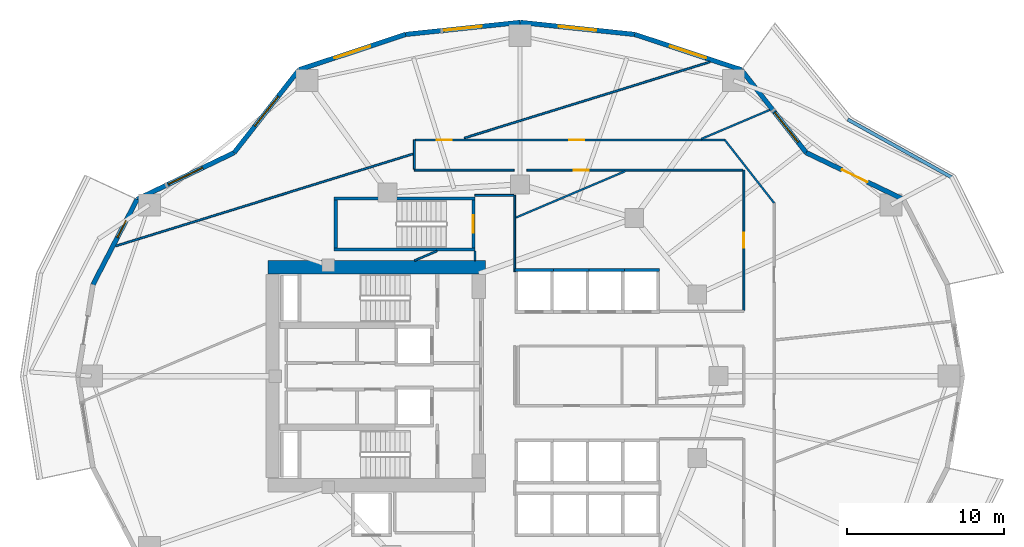
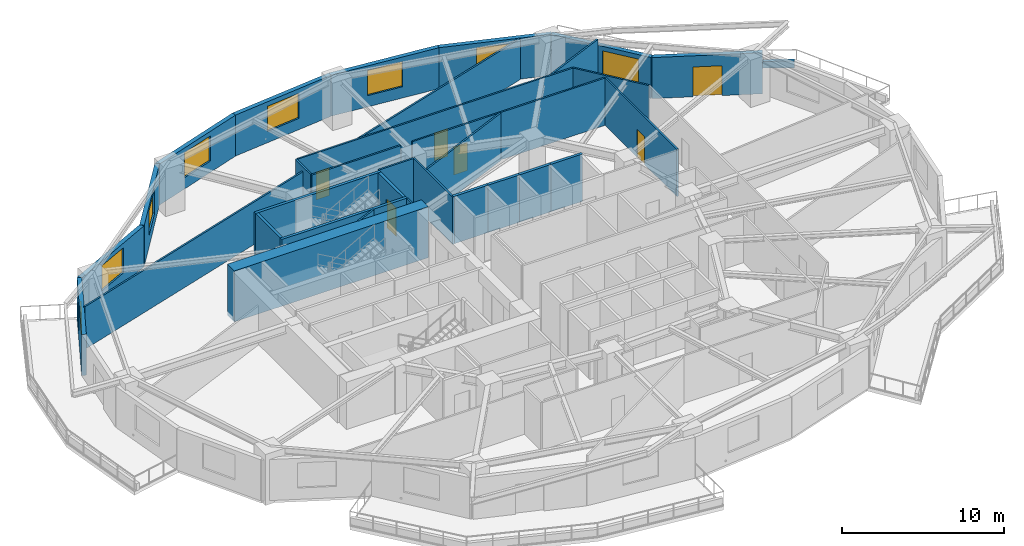
# One storey, part 6 of 14: 33 walls, 8 windows, 6 doors, 14 openings.
"""IFC4 building model written with IfcOpenShell, lengths in metres."""

from ifc_helpers import new_model, si_unit, direction, frame, frame_2d, origin, place, context, subcontext, project, spatial, rectangle, extrude, material, layer, layer_set, type_object, element, fill, save


model = new_model("IFC4")

# Units and contexts
model_context = context("Model", 3, precision=1e-05, world=origin(), true_north=direction((0.0, 1.0)))
body_context = subcontext(model_context, "Body", "Model", "MODEL_VIEW")
ifc_project = project(units=[si_unit("LENGTHUNIT", "METRE"), si_unit("AREAUNIT", "SQUARE_METRE"), si_unit("VOLUMEUNIT", "CUBIC_METRE"), si_unit("PLANEANGLEUNIT", "RADIAN"), si_unit("MASSUNIT", "GRAM", prefix="KILO")], contexts=[model_context])

# Site, building, storey
site_placement = place(None, origin())
site = spatial("IfcSite", under=ifc_project, at=site_placement, CompositionType="ELEMENT")
building_placement = place(site_placement, origin())
building = spatial("IfcBuilding", under=site, at=building_placement, Name="Kolvaren Gate Tower and Convention Centre", CompositionType="ELEMENT")
storey_placement = place(building_placement, frame((0.0, 0.0, 41.89990234375)))
storey = spatial("IfcBuildingStorey", under=building, at=storey_placement, Name="L09", CompositionType="ELEMENT", Elevation=41.89990234375)

# Wall
ifc_material_1 = material(Name="Fire-Rated Acoustic Gypsum Stud Partition", Category="gypsum")
ifc_layer_1 = layer(ifc_material_1, 0.1201171875)
ifc_layer_set_1 = layer_set([ifc_layer_1], Name="Fire-Rated Acoustic Gypsum Stud Partition")
wall_type_1 = type_object("IfcWallType", Name="ARCH-WL-PART-120", PredefinedType="PARTITIONING", material=ifc_layer_set_1)
wall_1_placement = place(storey_placement, frame((29.780029296875, 33.639892578125, 0.0), z_axis=(0.0, 0.0, 1.0), x_axis=(0.0, 1.0, 0.0)))
element("IfcWall", 1, at=wall_1_placement, inside=storey, type_object=wall_type_1, Name="Interior Partition WL-L09-INT-019", PredefinedType="PARTITIONING", context=body_context, shape_type="SweptSolid", body=[
    extrude(rectangle(XDim=4.860107421875, YDim=0.1201171875, at=frame_2d((2.43017578125, 0.0))), origin(), (0.0, 0.0, 1.0), 3.570068359375),
])

# Wall, opening, door
wall_2_placement = place(storey_placement, frame((44.35009765625, 31.181884765625, 0.0), z_axis=(0.0, 0.0, 1.0), x_axis=(0.0, 1.0, 0.0)))
wall_2 = element("IfcWall", 2, at=wall_2_placement, inside=storey, type_object=wall_type_1, Name="Interior Partition WL-L09-INT-023", PredefinedType="PARTITIONING", context=body_context, shape_type="SweptSolid", body=[
    extrude(rectangle(XDim=8.918212890625, YDim=0.1201171875, at=frame_2d((4.458984375, 0.0))), origin(), (0.0, 0.0, 1.0), 3.570068359375),
])
opening_1_placement = place(wall_2_placement, frame((3.98388671875, 0.0, 0.0)))
opening_1 = element("IfcOpeningElement", 3, at=opening_1_placement, cuts=wall_2, Name="Opening DR-01", PredefinedType="OPENING", context=body_context, shape_type="SweptSolid", body=[
    extrude(rectangle(XDim=0.949951171875, YDim=2.10009765625, at=frame_2d((0.47509765625, 1.050048828125))), frame((0.0, 0.070068359375, 0.0), z_axis=(0.0, -1.0, 0.0), x_axis=(1.0, 0.0, 0.0)), (0.0, 0.0, 1.0), 0.14013671875),
])
ifc_material_2 = material(Name="Painted Architectural Steelwork ASTM A500 Grade C 345 MPa", Category="steel")
door_type_1 = type_object("IfcDoorType", Name="ARCH-DR-RISER-950", OperationType="SINGLE_SWING_RIGHT", PredefinedType="DOOR", material=ifc_material_2)
door_1_placement = place(opening_1_placement, origin())
door_1 = element("IfcDoor", 4, at=door_1_placement, inside=storey, type_object=door_type_1, Name="Project Seminar Room Door", OperationType="SINGLE_SWING_RIGHT", OverallHeight=2.10009765625, OverallWidth=0.949951171875, PredefinedType="DOOR", context=body_context, shape_type="SweptSolid", body=[
    extrude(rectangle(XDim=0.949951171875, YDim=2.10009765625, at=frame_2d((0.47509765625, 1.050048828125))), frame((0.0, 0.02490234375, 0.0), z_axis=(0.0, -1.0, 0.0), x_axis=(1.0, 0.0, 0.0)), (0.0, 0.0, 1.0), 0.050048828125),
])
fill(opening_1, door_1)

# Wall
wall_3_placement = place(storey_placement, frame((23.39990234375, 40.10009765625, 0.0), z_axis=(0.0, 0.0, 1.0), x_axis=(1.0, 0.0, 0.0)))
element("IfcWall", 5, at=wall_3_placement, inside=storey, type_object=wall_type_1, Name="Interior Partition WL-L09-INT-024", PredefinedType="PARTITIONING", context=body_context, shape_type="SweptSolid", body=[
    extrude(rectangle(XDim=6.335205078125, YDim=0.1201171875, at=frame_2d((3.16748046875, 0.0))), origin(), (0.0, 0.0, 1.0), 3.570068359375),
])

# Wall, opening, door
wall_4_placement = place(storey_placement, frame((30.556884765625, 40.10009765625, 0.0), z_axis=(0.0, 0.0, 1.0), x_axis=(1.0, 0.0, 0.0)))
wall_4 = element("IfcWall", 6, at=wall_4_placement, inside=storey, type_object=wall_type_1, Name="Interior Partition WL-L09-INT-025", PredefinedType="PARTITIONING", context=body_context, shape_type="SweptSolid", body=[
    extrude(rectangle(XDim=13.731201171875, YDim=0.1201171875, at=frame_2d((6.86572265625, 0.0))), origin(), (0.0, 0.0, 1.0), 3.570068359375),
])
opening_2_placement = place(wall_4_placement, frame((2.979248046875, 0.0, 0.0)))
opening_2 = element("IfcOpeningElement", 7, at=opening_2_placement, cuts=wall_4, Name="Opening DR-01", PredefinedType="OPENING", context=body_context, shape_type="SweptSolid", body=[
    extrude(rectangle(XDim=0.949951171875, YDim=2.10009765625, at=frame_2d((0.47509765625, 1.050048828125))), frame((0.0, 0.070068359375, 0.0), z_axis=(0.0, -1.0, 0.0), x_axis=(1.0, 0.0, 0.0)), (0.0, 0.0, 1.0), 0.14013671875),
])
door_2_placement = place(opening_2_placement, origin())
door_2 = element("IfcDoor", 8, at=door_2_placement, inside=storey, type_object=door_type_1, Name="Conference and Training Seminar Room Door", OperationType="SINGLE_SWING_LEFT", OverallHeight=2.10009765625, OverallWidth=0.949951171875, PredefinedType="DOOR", context=body_context, shape_type="SweptSolid", body=[
    extrude(rectangle(XDim=0.949951171875, YDim=2.10009765625, at=frame_2d((0.47509765625, 1.050048828125))), frame((0.0, 0.02490234375, 0.0), z_axis=(0.0, -1.0, 0.0), x_axis=(1.0, 0.0, 0.0)), (0.0, 0.0, 1.0), 0.050048828125),
])
fill(opening_2, door_2)

# Wall
wall_5_placement = place(storey_placement, frame((23.39990234375, 40.162109375, 0.0), z_axis=(0.0, 0.0, 1.0), x_axis=(0.0, 1.0, 0.0)))
element("IfcWall", 9, at=wall_5_placement, inside=storey, type_object=wall_type_1, Name="Interior Partition WL-L09-INT-027", PredefinedType="PARTITIONING", context=body_context, shape_type="SweptSolid", body=[
    extrude(rectangle(XDim=1.85791015625, YDim=0.1201171875, at=frame_2d((0.928955078125, 0.0))), origin(), (0.0, 0.0, 1.0), 3.570068359375),
])

# Wall, openings, doors
wall_6_placement = place(storey_placement, frame((23.4619140625, 42.02001953125, 0.0), z_axis=(0.0, 0.0, 1.0), x_axis=(1.0, 0.0, 0.0)))
wall_6 = element("IfcWall", 10, at=wall_6_placement, inside=storey, type_object=wall_type_1, Name="Interior Partition WL-L09-INT-028", PredefinedType="PARTITIONING", context=body_context, shape_type="SweptSolid", body=[
    extrude(rectangle(XDim=19.675048828125, YDim=0.1201171875, at=frame_2d((9.83740234375, 0.0))), origin(), (0.0, 0.0, 1.0), 3.570068359375),
])
opening_3_placement = place(wall_6_placement, frame((9.79833984375, 0.0, 0.0)))
opening_3 = element("IfcOpeningElement", 11, at=opening_3_placement, cuts=wall_6, Name="Opening DR-01", PredefinedType="OPENING", context=body_context, shape_type="SweptSolid", body=[
    extrude(rectangle(XDim=0.949951171875, YDim=2.10009765625, at=frame_2d((0.47509765625, 1.050048828125))), frame((0.0, 0.070068359375, 0.0), z_axis=(0.0, -1.0, 0.0), x_axis=(1.0, 0.0, 0.0)), (0.0, 0.0, 1.0), 0.14013671875),
])
opening_4_placement = place(wall_6_placement, frame((1.357421875, 0.0, 0.0)))
opening_4 = element("IfcOpeningElement", 12, at=opening_4_placement, cuts=wall_6, Name="Opening DR-01", PredefinedType="OPENING", context=body_context, shape_type="SweptSolid", body=[
    extrude(rectangle(XDim=0.949951171875, YDim=2.10009765625, at=frame_2d((0.47509765625, 1.050048828125))), frame((0.0, 0.070068359375, 0.0), z_axis=(0.0, -1.0, 0.0), x_axis=(1.0, 0.0, 0.0)), (0.0, 0.0, 1.0), 0.14013671875),
])
door_3_placement = place(opening_3_placement, origin())
door_3 = element("IfcDoor", 13, at=door_3_placement, inside=storey, type_object=door_type_1, Name="Strategy Huddle Meeting Room Door", OperationType="SINGLE_SWING_LEFT", OverallHeight=2.10009765625, OverallWidth=0.949951171875, PredefinedType="DOOR", context=body_context, shape_type="SweptSolid", body=[
    extrude(rectangle(XDim=0.949951171875, YDim=2.10009765625, at=frame_2d((0.47509765625, 1.050048828125))), frame((0.0, 0.02490234375, 0.0), z_axis=(0.0, -1.0, 0.0), x_axis=(1.0, 0.0, 0.0)), (0.0, 0.0, 1.0), 0.050048828125),
])
fill(opening_3, door_3)
door_4_placement = place(opening_4_placement, origin())
door_4 = element("IfcDoor", 14, at=door_4_placement, inside=storey, type_object=door_type_1, Name="Conference and Training Seminar Room Door", OperationType="SINGLE_SWING_RIGHT", OverallHeight=2.10009765625, OverallWidth=0.949951171875, PredefinedType="DOOR", context=body_context, shape_type="SweptSolid", body=[
    extrude(rectangle(XDim=0.949951171875, YDim=2.10009765625, at=frame_2d((0.47509765625, 1.050048828125))), frame((0.0, 0.02490234375, 0.0), z_axis=(0.0, -1.0, 0.0), x_axis=(1.0, 0.0, 0.0)), (0.0, 0.0, 1.0), 0.050048828125),
])
fill(opening_4, door_4)

# Walls
wall_7_placement = place(storey_placement, frame((43.136962890625, 42.02001953125, 0.0), z_axis=(0.0, 0.0, 1.0), x_axis=(0.616441660183, -0.787400583941, 0.0)))
element("IfcWall", 15, at=wall_7_placement, inside=storey, type_object=wall_type_1, Name="Interior Partition WL-L09-INT-029", PredefinedType="PARTITIONING", context=body_context, shape_type="SweptSolid", body=[
    extrude(rectangle(XDim=5.08251953125, YDim=0.1201171875, at=frame_2d((2.541259765625, 0.0))), origin(), (0.0, 0.0, 1.0), 3.570068359375),
])
wall_8_placement = place(storey_placement, frame((27.25, 34.35205078125, 0.0), z_axis=(0.0, 0.0, 1.0), x_axis=(0.0, 1.0, 0.0)))
element("IfcWall", 16, at=wall_8_placement, inside=storey, type_object=wall_type_1, Name="Interior Partition WL-L09-INT-036", PredefinedType="PARTITIONING", context=body_context, shape_type="SweptSolid", body=[
    extrude(rectangle(XDim=0.60595703125, YDim=0.1201171875, at=frame_2d((0.302978515625, 0.0))), origin(), (0.0, 0.0, 1.0), 3.570068359375),
])
wall_9_placement = place(storey_placement, frame((27.25, 38.5, 0.0), z_axis=(0.0, 0.0, 1.0), x_axis=(1.0, 0.0, 0.0)))
element("IfcWall", 17, at=wall_9_placement, inside=storey, type_object=wall_type_1, Name="Interior Partition WL-L09-INT-037", PredefinedType="PARTITIONING", context=body_context, shape_type="SweptSolid", body=[
    extrude(rectangle(XDim=2.468017578125, YDim=0.1201171875, at=frame_2d((1.23388671875, 0.0))), origin(), (0.0, 0.0, 1.0), 3.570068359375),
])
wall_10_placement = place(storey_placement, frame((23.40673828125, 34.35205078125, 0.0), z_axis=(0.0, 0.0, 1.0), x_axis=(0.920643464024, 0.390404421273, 0.0)))
element("IfcWall", 18, at=wall_10_placement, inside=storey, type_object=wall_type_1, Name="Interior Partition WL-L09-INT-046", PredefinedType="PARTITIONING", context=body_context, shape_type="SweptSolid", body=[
    extrude(rectangle(XDim=1.55224609375, YDim=0.1201171875, at=frame_2d((0.776123046875, 0.0))), origin(), (0.0, 0.0, 1.0), 3.570068359375),
])
wall_11_placement = place(storey_placement, frame((29.842041015625, 37.0810546875, 0.0), z_axis=(0.0, 0.0, 1.0), x_axis=(0.920622518337, 0.390453811265, 0.0)))
element("IfcWall", 19, at=wall_11_placement, inside=storey, type_object=wall_type_1, Name="Interior Partition WL-L09-INT-047", PredefinedType="PARTITIONING", context=body_context, shape_type="SweptSolid", body=[
    extrude(rectangle(XDim=7.5732421875, YDim=0.1201171875, at=frame_2d((3.78662109375, 0.0))), origin(), (0.0, 0.0, 1.0), 3.570068359375),
])
wall_12_placement = place(storey_placement, frame((41.6337890625, 42.08203125, 0.0), z_axis=(0.0, 0.0, 1.0), x_axis=(0.920618281514, 0.39046380081, 0.0)))
element("IfcWall", 20, at=wall_12_placement, inside=storey, type_object=wall_type_1, Name="Interior Partition WL-L09-INT-048", PredefinedType="PARTITIONING", context=body_context, shape_type="SweptSolid", body=[
    extrude(rectangle(XDim=4.736328125, YDim=0.1201171875, at=frame_2d((2.3681640625, 0.0))), origin(), (0.0, 0.0, 1.0), 3.570068359375),
])
wall_13_placement = place(storey_placement, frame((4.39794921875, 35.273193359375, 0.0), z_axis=(0.0, 0.0, 1.0), x_axis=(0.955217133812, 0.295905774314, 0.0)))
element("IfcWall", 21, at=wall_13_placement, inside=storey, type_object=wall_type_1, Name="Interior Partition WL-L09-INT-056", PredefinedType="PARTITIONING", context=body_context, shape_type="SweptSolid", body=[
    extrude(rectangle(XDim=19.827880859375, YDim=0.1201171875, at=frame_2d((9.9140625, 0.0))), origin(), (0.0, 0.0, 1.0), 3.205078125),
])
wall_14_placement = place(storey_placement, frame((26.57177734375, 42.14208984375, 0.0), z_axis=(0.0, 0.0, 1.0), x_axis=(0.955220139549, 0.295896071282, 0.0)))
element("IfcWall", 22, at=wall_14_placement, inside=storey, type_object=wall_type_1, Name="Interior Partition WL-L09-INT-057", PredefinedType="PARTITIONING", context=body_context, shape_type="SweptSolid", body=[
    extrude(rectangle(XDim=16.3623046875, YDim=0.1201171875, at=frame_2d((8.18115234375, 0.0))), origin(), (0.0, 0.0, 1.0), 3.093017578125),
])
ifc_material_3 = material(Name="Piedmont Cream Honed Limestone Cladding", Category="masonry")
ifc_layer_2 = layer(ifc_material_3, 0.219970703125)
ifc_layer_set_2 = layer_set([ifc_layer_2], Name="Piedmont Cream Honed Limestone Cladding")
wall_type_2 = type_object("IfcWallType", Name="ARCH-WL-PLANTER-220", PredefinedType="PARAPET", material=ifc_layer_set_2)
wall_15_placement = place(storey_placement, frame((50.959228515625, 43.322021484375, 0.0), z_axis=(0.0, 0.0, 1.0), x_axis=(0.873500119739, -0.48682393205, 0.0)))
element("IfcWall", 23, at=wall_15_placement, inside=storey, type_object=wall_type_2, Name="Vertical-Forest Balcony Stone Planter Kerb PK-L09-1.2", PredefinedType="PARAPET", context=body_context, shape_type="SweptSolid", body=[
    extrude(rectangle(XDim=7.56201171875, YDim=0.219970703125, at=frame_2d((3.781005859375, 0.0))), origin(), (0.0, 0.0, 1.0), 0.52001953125),
])
ifc_material_4 = material(Name="Autoclaved Aerated Masonry Blockwork Class 4 (4.0 MPa)", Category="masonry")
ifc_layer_3 = layer(ifc_material_4, 0.199951171875)
ifc_layer_set_3 = layer_set([ifc_layer_3], Name="Autoclaved Aerated Masonry Blockwork Class 4 (4.0 MPa)")
wall_type_3 = type_object("IfcWallType", Name="ARCH-WL-SHAFT-200", PredefinedType="SOLIDWALL", material=ifc_layer_set_3)
wall_16_placement = place(storey_placement, frame((29.800048828125, 33.75, 0.0), z_axis=(0.0, 0.0, 1.0), x_axis=(1.0, 0.0, 0.0)))
element("IfcWall", 24, at=wall_16_placement, inside=storey, type_object=wall_type_3, Name="Elevator PL-01 L09 Fire Shaft Wall N", PredefinedType="SOLIDWALL", context=body_context, shape_type="SweptSolid", body=[
    extrude(rectangle(XDim=2.449951171875, YDim=0.199951171875, at=frame_2d((1.22509765625, 0.0))), origin(), (0.0, 0.0, 1.0), 3.570068359375),
])
for number, where, z_axis, x_axis, name in (
    (25, (32.25, 33.75, 0.0), (0.0, 0.0, 1.0), (1.0, 0.0, 0.0), "Elevator PL-02 L09 Fire Shaft Wall N"),
    (26, (34.5, 33.75, 0.0), (0.0, 0.0, 1.0), (1.0, 0.0, 0.0), "Elevator PL-03 L09 Fire Shaft Wall N"),
    (27, (36.75, 33.75, 0.0), (0.0, 0.0, 1.0), (1.0, 0.0, 0.0), "Elevator PL-04 L09 Fire Shaft Wall N"),
):
    element("IfcWall", number, at=place(storey_placement, frame(where, z_axis=z_axis, x_axis=x_axis)), inside=storey, type_object=wall_type_3, Name=name, PredefinedType="SOLIDWALL", context=body_context, shape_type="SweptSolid", body=[
        extrude(rectangle(XDim=2.25, YDim=0.199951171875, at=frame_2d((1.125, 0.0))), origin(), (0.0, 0.0, 1.0), 3.570068359375),
    ])

# Wall, opening, door
ifc_layer_4 = layer(ifc_material_3, 0.300048828125)
ifc_layer_set_4 = layer_set([ifc_layer_4], Name="Piedmont Cream Honed Limestone Cladding")
wall_type_4 = type_object("IfcWallType", Name="ARCH-WL-STONE-300", PredefinedType="SOLIDWALL", material=ifc_layer_set_4)
wall_17_placement = place(storey_placement, frame((48.315185546875, 41.212890625, 0.0), z_axis=(0.0, 0.0, 1.0), x_axis=(0.901360393999, -0.433069786673, 0.0)))
wall_17 = element("IfcWall", 28, at=wall_17_placement, inside=storey, type_object=wall_type_4, Name="Tower L09 Honed Stone Spandrel Wall EW-02", PredefinedType="SOLIDWALL", context=body_context, shape_type="SweptSolid", body=[
    extrude(rectangle(XDim=6.841552734375, YDim=0.300048828125, at=frame_2d((3.4208984375, 0.0))), origin(), (0.0, 0.0, 1.0), 3.093017578125),
])
opening_5_placement = place(wall_17_placement, frame((2.52099609375, 0.0, 0.0)))
opening_5 = element("IfcOpeningElement", 29, at=opening_5_placement, cuts=wall_17, Name="Opening DB-01", PredefinedType="OPENING", context=body_context, shape_type="SweptSolid", body=[
    extrude(rectangle(XDim=1.800048828125, YDim=2.25, at=frame_2d((0.89990234375, 1.125))), frame((0.0, 0.159912109375, 0.0), z_axis=(0.0, -1.0, 0.0), x_axis=(1.0, 0.0, 0.0)), (0.0, 0.0, 1.0), 0.320068359375),
])
ifc_material_5 = material(Name="Anodized Architectural Aluminium Alloy 6063-T6", Category="aluminium")
door_type_2 = type_object("IfcDoorType", Name="ARCH-DR-BALC-1800", OperationType="SLIDING_TO_LEFT", PredefinedType="DOOR", material=ifc_material_5)
door_5_placement = place(opening_5_placement, origin())
door_5 = element("IfcDoor", 30, at=door_5_placement, inside=storey, type_object=door_type_2, Name="Planted Sky Terrace Access Door DB-L09-02", OperationType="SLIDING_TO_LEFT", OverallHeight=2.25, OverallWidth=1.800048828125, PredefinedType="DOOR", context=body_context, shape_type="SweptSolid", body=[
    extrude(rectangle(XDim=1.800048828125, YDim=2.25, at=frame_2d((0.89990234375, 1.125))), frame((0.0, 0.02490234375, 0.0), z_axis=(0.0, -1.0, 0.0), x_axis=(1.0, 0.0, 0.0)), (0.0, 0.0, 1.0), 0.050048828125),
])
fill(opening_5, door_5)

# Wall, opening, window
wall_18_placement = place(storey_placement, frame((44.1875, 46.485595703125, 0.0), z_axis=(0.0, 0.0, 1.0), x_axis=(0.616421309777, -0.787416515482, 0.0)))
wall_18 = element("IfcWall", 31, at=wall_18_placement, inside=storey, type_object=wall_type_4, Name="Tower L09 Honed Stone Spandrel Wall EW-03", PredefinedType="SOLIDWALL", context=body_context, shape_type="SweptSolid", body=[
    extrude(rectangle(XDim=6.6962890625, YDim=0.300048828125, at=frame_2d((3.34814453125, 0.0))), origin(), (0.0, 0.0, 1.0), 3.093017578125),
])
opening_6_placement = place(wall_18_placement, frame((3.449951171875, 0.0, 0.85009765625)))
opening_6 = element("IfcOpeningElement", 32, at=opening_6_placement, cuts=wall_18, Name="Opening W-01", PredefinedType="OPENING", context=body_context, shape_type="SweptSolid", body=[
    extrude(rectangle(XDim=2.39990234375, YDim=1.89990234375, at=frame_2d((1.199951171875, 0.949951171875))), frame((0.0, 0.159912109375, 0.0), z_axis=(0.0, -1.0, 0.0), x_axis=(1.0, 0.0, 0.0)), (0.0, 0.0, 1.0), 0.320068359375),
])
ifc_material_6 = material(Name="Low-E Triple Insulated Glazing Unit 44 mm", Category="glass")
window_type_1 = type_object("IfcWindowType", Name="ARCH-WN-OFF-2400", PartitioningType="SINGLE_PANEL", PredefinedType="WINDOW", material=ifc_material_6)
window_1_placement = place(opening_6_placement, origin())
window_1 = element("IfcWindow", 33, at=window_1_placement, inside=storey, type_object=window_type_1, Name="Tower L09 Punched Stone Facade Window W-03", OverallHeight=1.89990234375, OverallWidth=2.39990234375, PartitioningType="SINGLE_PANEL", PredefinedType="WINDOW", context=body_context, shape_type="SweptSolid", body=[
    extrude(rectangle(XDim=2.39990234375, YDim=1.89990234375, at=frame_2d((1.199951171875, 0.949951171875))), frame((0.0, 0.030029296875, 0.0), z_axis=(0.0, -1.0, 0.0), x_axis=(1.0, 0.0, 0.0)), (0.0, 0.0, 1.0), 0.06005859375),
])
fill(opening_6, window_1)

wall_19_placement = place(storey_placement, frame((37.404296875, 48.7333984375, 0.0), z_axis=(0.0, 0.0, 1.0), x_axis=(0.949238715533, -0.31455661006, 0.0)))
wall_19 = element("IfcWall", 34, at=wall_19_placement, inside=storey, type_object=wall_type_4, Name="Tower L09 Honed Stone Spandrel Wall EW-04", PredefinedType="SOLIDWALL", context=body_context, shape_type="SweptSolid", body=[
    extrude(rectangle(XDim=7.14599609375, YDim=0.300048828125, at=frame_2d((3.572998046875, 0.0))), origin(), (0.0, 0.0, 1.0), 3.093017578125),
])
opening_7_placement = place(wall_19_placement, frame((2.373046875, 0.0, 0.85009765625)))
opening_7 = element("IfcOpeningElement", 35, at=opening_7_placement, cuts=wall_19, Name="Opening W-01", PredefinedType="OPENING", context=body_context, shape_type="SweptSolid", body=[
    extrude(rectangle(XDim=2.39990234375, YDim=1.89990234375, at=frame_2d((1.199951171875, 0.949951171875))), frame((0.0, 0.159912109375, 0.0), z_axis=(0.0, -1.0, 0.0), x_axis=(1.0, 0.0, 0.0)), (0.0, 0.0, 1.0), 0.320068359375),
])
window_2_placement = place(opening_7_placement, origin())
window_2 = element("IfcWindow", 36, at=window_2_placement, inside=storey, type_object=window_type_1, Name="Tower L09 Punched Stone Facade Window W-04", OverallHeight=1.89990234375, OverallWidth=2.39990234375, PartitioningType="SINGLE_PANEL", PredefinedType="WINDOW", context=body_context, shape_type="SweptSolid", body=[
    extrude(rectangle(XDim=2.39990234375, YDim=1.89990234375, at=frame_2d((1.199951171875, 0.949951171875))), frame((0.0, 0.030029296875, 0.0), z_axis=(0.0, -1.0, 0.0), x_axis=(1.0, 0.0, 0.0)), (0.0, 0.0, 1.0), 0.06005859375),
])
fill(opening_7, window_2)

wall_20_placement = place(storey_placement, frame((30.125, 49.5, 0.0), z_axis=(0.0, 0.0, 1.0), x_axis=(0.994500334317, -0.104733399844, 0.0)))
wall_20 = element("IfcWall", 37, at=wall_20_placement, inside=storey, type_object=wall_type_4, Name="Tower L09 Honed Stone Spandrel Wall EW-05", PredefinedType="SOLIDWALL", context=body_context, shape_type="SweptSolid", body=[
    extrude(rectangle(XDim=7.319580078125, YDim=0.300048828125, at=frame_2d((3.65966796875, 0.0))), origin(), (0.0, 0.0, 1.0), 3.093017578125),
])
opening_8_placement = place(wall_20_placement, frame((2.4599609375, 0.0, 0.85009765625)))
opening_8 = element("IfcOpeningElement", 38, at=opening_8_placement, cuts=wall_20, Name="Opening W-01", PredefinedType="OPENING", context=body_context, shape_type="SweptSolid", body=[
    extrude(rectangle(XDim=2.39990234375, YDim=1.89990234375, at=frame_2d((1.199951171875, 0.949951171875))), frame((0.0, 0.159912109375, 0.0), z_axis=(0.0, -1.0, 0.0), x_axis=(1.0, 0.0, 0.0)), (0.0, 0.0, 1.0), 0.320068359375),
])
window_3_placement = place(opening_8_placement, origin())
window_3 = element("IfcWindow", 39, at=window_3_placement, inside=storey, type_object=window_type_1, Name="Tower L09 Punched Stone Facade Window W-05", OverallHeight=1.89990234375, OverallWidth=2.39990234375, PartitioningType="SINGLE_PANEL", PredefinedType="WINDOW", context=body_context, shape_type="SweptSolid", body=[
    extrude(rectangle(XDim=2.39990234375, YDim=1.89990234375, at=frame_2d((1.199951171875, 0.949951171875))), frame((0.0, 0.030029296875, 0.0), z_axis=(0.0, -1.0, 0.0), x_axis=(1.0, 0.0, 0.0)), (0.0, 0.0, 1.0), 0.06005859375),
])
fill(opening_8, window_3)

wall_21_placement = place(storey_placement, frame((22.845703125, 48.7333984375, 0.0), z_axis=(0.0, 0.0, 1.0), x_axis=(0.994500334317, 0.104733399844, 0.0)))
wall_21 = element("IfcWall", 40, at=wall_21_placement, inside=storey, type_object=wall_type_4, Name="Tower L09 Honed Stone Spandrel Wall EW-06", PredefinedType="SOLIDWALL", context=body_context, shape_type="SweptSolid", body=[
    extrude(rectangle(XDim=7.319580078125, YDim=0.300048828125, at=frame_2d((3.65966796875, 0.0))), origin(), (0.0, 0.0, 1.0), 3.093017578125),
])
opening_9_placement = place(wall_21_placement, frame((2.4599609375, 0.0, 0.85009765625)))
opening_9 = element("IfcOpeningElement", 41, at=opening_9_placement, cuts=wall_21, Name="Opening W-01", PredefinedType="OPENING", context=body_context, shape_type="SweptSolid", body=[
    extrude(rectangle(XDim=2.39990234375, YDim=1.89990234375, at=frame_2d((1.199951171875, 0.949951171875))), frame((0.0, 0.159912109375, 0.0), z_axis=(0.0, -1.0, 0.0), x_axis=(1.0, 0.0, 0.0)), (0.0, 0.0, 1.0), 0.320068359375),
])
window_4_placement = place(opening_9_placement, origin())
window_4 = element("IfcWindow", 42, at=window_4_placement, inside=storey, type_object=window_type_1, Name="Tower L09 Punched Stone Facade Window W-06", OverallHeight=1.89990234375, OverallWidth=2.39990234375, PartitioningType="SINGLE_PANEL", PredefinedType="WINDOW", context=body_context, shape_type="SweptSolid", body=[
    extrude(rectangle(XDim=2.39990234375, YDim=1.89990234375, at=frame_2d((1.199951171875, 0.949951171875))), frame((0.0, 0.030029296875, 0.0), z_axis=(0.0, -1.0, 0.0), x_axis=(1.0, 0.0, 0.0)), (0.0, 0.0, 1.0), 0.06005859375),
])
fill(opening_9, window_4)

wall_22_placement = place(storey_placement, frame((16.0625, 46.485595703125, 0.0), z_axis=(0.0, 0.0, 1.0), x_axis=(0.949238715533, 0.31455661006, 0.0)))
wall_22 = element("IfcWall", 43, at=wall_22_placement, inside=storey, type_object=wall_type_4, Name="Tower L09 Honed Stone Spandrel Wall EW-07", PredefinedType="SOLIDWALL", context=body_context, shape_type="SweptSolid", body=[
    extrude(rectangle(XDim=7.14599609375, YDim=0.300048828125, at=frame_2d((3.572998046875, 0.0))), origin(), (0.0, 0.0, 1.0), 3.093017578125),
])
opening_10_placement = place(wall_22_placement, frame((2.373046875, 0.0, 0.85009765625)))
opening_10 = element("IfcOpeningElement", 44, at=opening_10_placement, cuts=wall_22, Name="Opening W-01", PredefinedType="OPENING", context=body_context, shape_type="SweptSolid", body=[
    extrude(rectangle(XDim=2.39990234375, YDim=1.89990234375, at=frame_2d((1.199951171875, 0.949951171875))), frame((0.0, 0.159912109375, 0.0), z_axis=(0.0, -1.0, 0.0), x_axis=(1.0, 0.0, 0.0)), (0.0, 0.0, 1.0), 0.320068359375),
])
window_5_placement = place(opening_10_placement, origin())
window_5 = element("IfcWindow", 45, at=window_5_placement, inside=storey, type_object=window_type_1, Name="Tower L09 Punched Stone Facade Window W-07", OverallHeight=1.89990234375, OverallWidth=2.39990234375, PartitioningType="SINGLE_PANEL", PredefinedType="WINDOW", context=body_context, shape_type="SweptSolid", body=[
    extrude(rectangle(XDim=2.39990234375, YDim=1.89990234375, at=frame_2d((1.199951171875, 0.949951171875))), frame((0.0, 0.030029296875, 0.0), z_axis=(0.0, -1.0, 0.0), x_axis=(1.0, 0.0, 0.0)), (0.0, 0.0, 1.0), 0.06005859375),
])
fill(opening_10, window_5)

wall_23_placement = place(storey_placement, frame((11.934814453125, 41.212890625, 0.0), z_axis=(0.0, 0.0, 1.0), x_axis=(0.616421309777, 0.787416515482, 0.0)))
wall_23 = element("IfcWall", 46, at=wall_23_placement, inside=storey, type_object=wall_type_4, Name="Tower L09 Honed Stone Spandrel Wall EW-08", PredefinedType="SOLIDWALL", context=body_context, shape_type="SweptSolid", body=[
    extrude(rectangle(XDim=6.6962890625, YDim=0.300048828125, at=frame_2d((3.34814453125, 0.0))), origin(), (0.0, 0.0, 1.0), 3.093017578125),
])
opening_11_placement = place(wall_23_placement, frame((2.14794921875, 0.0, 0.85009765625)))
opening_11 = element("IfcOpeningElement", 47, at=opening_11_placement, cuts=wall_23, Name="Opening W-01", PredefinedType="OPENING", context=body_context, shape_type="SweptSolid", body=[
    extrude(rectangle(XDim=2.39990234375, YDim=1.89990234375, at=frame_2d((1.199951171875, 0.949951171875))), frame((0.0, 0.159912109375, 0.0), z_axis=(0.0, -1.0, 0.0), x_axis=(1.0, 0.0, 0.0)), (0.0, 0.0, 1.0), 0.320068359375),
])
window_6_placement = place(opening_11_placement, origin())
window_6 = element("IfcWindow", 48, at=window_6_placement, inside=storey, type_object=window_type_1, Name="Tower L09 Punched Stone Facade Window W-08", OverallHeight=1.89990234375, OverallWidth=2.39990234375, PartitioningType="SINGLE_PANEL", PredefinedType="WINDOW", context=body_context, shape_type="SweptSolid", body=[
    extrude(rectangle(XDim=2.39990234375, YDim=1.89990234375, at=frame_2d((1.199951171875, 0.949951171875))), frame((0.0, 0.030029296875, 0.0), z_axis=(0.0, -1.0, 0.0), x_axis=(1.0, 0.0, 0.0)), (0.0, 0.0, 1.0), 0.06005859375),
])
fill(opening_11, window_6)

wall_24_placement = place(storey_placement, frame((5.76806640625, 38.25, 0.0), z_axis=(0.0, 0.0, 1.0), x_axis=(0.901360393999, 0.433069786673, 0.0)))
wall_24 = element("IfcWall", 49, at=wall_24_placement, inside=storey, type_object=wall_type_4, Name="Tower L09 Honed Stone Spandrel Wall EW-09", PredefinedType="SOLIDWALL", context=body_context, shape_type="SweptSolid", body=[
    extrude(rectangle(XDim=6.841552734375, YDim=0.300048828125, at=frame_2d((3.4208984375, 0.0))), origin(), (0.0, 0.0, 1.0), 3.093017578125),
])
opening_12_placement = place(wall_24_placement, frame((2.220947265625, 0.0, 0.85009765625)))
opening_12 = element("IfcOpeningElement", 50, at=opening_12_placement, cuts=wall_24, Name="Opening W-01", PredefinedType="OPENING", context=body_context, shape_type="SweptSolid", body=[
    extrude(rectangle(XDim=2.39990234375, YDim=1.89990234375, at=frame_2d((1.199951171875, 0.949951171875))), frame((0.0, 0.159912109375, 0.0), z_axis=(0.0, -1.0, 0.0), x_axis=(1.0, 0.0, 0.0)), (0.0, 0.0, 1.0), 0.320068359375),
])
window_7_placement = place(opening_12_placement, origin())
window_7 = element("IfcWindow", 51, at=window_7_placement, inside=storey, type_object=window_type_1, Name="Tower L09 Punched Stone Facade Window W-09", OverallHeight=1.89990234375, OverallWidth=2.39990234375, PartitioningType="SINGLE_PANEL", PredefinedType="WINDOW", context=body_context, shape_type="SweptSolid", body=[
    extrude(rectangle(XDim=2.39990234375, YDim=1.89990234375, at=frame_2d((1.199951171875, 0.949951171875))), frame((0.0, 0.030029296875, 0.0), z_axis=(0.0, -1.0, 0.0), x_axis=(1.0, 0.0, 0.0)), (0.0, 0.0, 1.0), 0.06005859375),
])
fill(opening_12, window_7)

wall_25_placement = place(storey_placement, frame((2.958251953125, 32.823486328125, 0.0), z_axis=(0.0, 0.0, 1.0), x_axis=(0.459809804413, 0.88801742312, 0.0)))
wall_25 = element("IfcWall", 52, at=wall_25_placement, inside=storey, type_object=wall_type_4, Name="Tower L09 Honed Stone Spandrel Wall EW-10", PredefinedType="SOLIDWALL", context=body_context, shape_type="SweptSolid", body=[
    extrude(rectangle(XDim=6.11083984375, YDim=0.300048828125, at=frame_2d((3.055419921875, 0.0))), origin(), (0.0, 0.0, 1.0), 3.093017578125),
])
opening_13_placement = place(wall_25_placement, frame((3.3798828125, 0.0, 0.719970703125)))
opening_13 = element("IfcOpeningElement", 53, at=opening_13_placement, cuts=wall_25, Name="Opening W-04", PredefinedType="OPENING", context=body_context, shape_type="SweptSolid", body=[
    extrude(rectangle(XDim=1.199951171875, YDim=1.64990234375, at=frame_2d((0.60009765625, 0.824951171875))), frame((0.0, 0.159912109375, 0.0), z_axis=(0.0, -1.0, 0.0), x_axis=(1.0, 0.0, 0.0)), (0.0, 0.0, 1.0), 0.320068359375),
])
window_type_2 = type_object("IfcWindowType", Name="ARCH-WN-NARROW-1200", PartitioningType="SINGLE_PANEL", PredefinedType="WINDOW", material=ifc_material_6)
window_8_placement = place(opening_13_placement, origin())
window_8 = element("IfcWindow", 54, at=window_8_placement, inside=storey, type_object=window_type_2, Name="Tower L09 Punched Stone Facade Window W-10", OverallHeight=1.64990234375, OverallWidth=1.199951171875, PartitioningType="SINGLE_PANEL", PredefinedType="WINDOW", context=body_context, shape_type="SweptSolid", body=[
    extrude(rectangle(XDim=1.199951171875, YDim=1.64990234375, at=frame_2d((0.60009765625, 0.824951171875))), frame((0.0, 0.030029296875, 0.0), z_axis=(0.0, -1.0, 0.0), x_axis=(1.0, 0.0, 0.0)), (0.0, 0.0, 1.0), 0.06005859375),
])
fill(opening_13, window_8)

# Wall
ifc_material_7 = material(Name="Concrete C70/85", Category="concrete")
ifc_layer_5 = layer(ifc_material_7, 0.85009765625)
ifc_layer_set_5 = layer_set([ifc_layer_5], Name="Concrete C70/85")
wall_type_5 = type_object("IfcWallType", Name="STR-WL-CORE-850", PredefinedType="SHEAR", material=ifc_layer_set_5)
wall_26_placement = place(storey_placement, frame((14.074951171875, 33.925048828125, -0.27978515625), z_axis=(0.0, 0.0, 1.0), x_axis=(1.0, 0.0, 0.0)))
element("IfcWall", 55, at=wall_26_placement, inside=storey, type_object=wall_type_5, Name="Tower L09 Offset Core Shear Wall N", PredefinedType="SHEAR", context=body_context, shape_type="SweptSolid", body=[
    extrude(rectangle(XDim=13.85009765625, YDim=0.85009765625, at=frame_2d((6.925048828125, 0.0))), origin(), (0.0, 0.0, 1.0), 3.849853515625),
])

# Wall, opening, door
ifc_material_8 = material(Name="Concrete C50/60", Category="concrete")
ifc_layer_6 = layer(ifc_material_8, 0.199951171875)
ifc_layer_set_6 = layer_set([ifc_layer_6], Name="Concrete C50/60")
wall_type_6 = type_object("IfcWallType", Name="STR-WL-SHAFT-200", PredefinedType="SHEAR", material=ifc_layer_set_6)
wall_27_placement = place(storey_placement, frame((27.14990234375, 35.159912109375, -0.27978515625), z_axis=(0.0, 0.0, 1.0), x_axis=(0.0, 1.0, 0.0)))
wall_27 = element("IfcWall", 56, at=wall_27_placement, inside=storey, type_object=wall_type_6, Name="Tower Mid-Zone Exit Stair ST-T3 L09 Structural Shear Enclosure Wall NEAR", PredefinedType="SHEAR", context=body_context, shape_type="SweptSolid", body=[
    extrude(rectangle(XDim=3.0400390625, YDim=0.199951171875, at=frame_2d((1.52001953125, 0.0))), origin(), (0.0, 0.0, 1.0), 3.849853515625),
])
opening_14_placement = place(wall_27_placement, frame((0.969970703125, 0.0, 0.280029296875)))
opening_14 = element("IfcOpeningElement", 57, at=opening_14_placement, cuts=wall_27, Name="Opening DS-01", PredefinedType="OPENING", context=body_context, shape_type="SweptSolid", body=[
    extrude(rectangle(XDim=1.10009765625, YDim=2.14990234375, at=frame_2d((0.550048828125, 1.074951171875))), frame((0.0, 0.10986328125, 0.0), z_axis=(0.0, -1.0, 0.0), x_axis=(1.0, 0.0, 0.0)), (0.0, 0.0, 1.0), 0.219970703125),
])
door_type_3 = type_object("IfcDoorType", Name="ARCH-DR-STAIR-1100", OperationType="SINGLE_SWING_LEFT", PredefinedType="DOOR", material=ifc_material_2)
door_6_placement = place(opening_14_placement, origin())
door_6 = element("IfcDoor", 58, at=door_6_placement, inside=storey, type_object=door_type_3, Name="Tower Mid-Zone Exit Stair ST-T3 L09 Fire Exit Stair Door", OperationType="SINGLE_SWING_LEFT", OverallHeight=2.14990234375, OverallWidth=1.10009765625, PredefinedType="DOOR", context=body_context, shape_type="SweptSolid", body=[
    extrude(rectangle(XDim=1.10009765625, YDim=2.14990234375, at=frame_2d((0.550048828125, 1.074951171875))), frame((0.0, 0.02490234375, 0.0), z_axis=(0.0, -1.0, 0.0), x_axis=(1.0, 0.0, 0.0)), (0.0, 0.0, 1.0), 0.050048828125),
])
fill(opening_14, door_6)

# Walls
wall_28_placement = place(storey_placement, frame((18.39990234375, 35.159912109375, -0.27978515625), z_axis=(0.0, 0.0, 1.0), x_axis=(0.0, 1.0, 0.0)))
element("IfcWall", 59, at=wall_28_placement, inside=storey, type_object=wall_type_6, Name="Tower Mid-Zone Exit Stair ST-T3 L09 Structural Shear Enclosure Wall FAR", PredefinedType="SHEAR", context=body_context, shape_type="SweptSolid", body=[
    extrude(rectangle(XDim=3.0400390625, YDim=0.199951171875, at=frame_2d((1.52001953125, 0.0))), origin(), (0.0, 0.0, 1.0), 3.849853515625),
])
for number, where, z_axis, x_axis, name in (
    (60, (18.300048828125, 38.300048828125, -0.27978515625), (0.0, 0.0, 1.0), (1.0, 0.0, 0.0), "Tower Mid-Zone Exit Stair ST-T3 L09 Structural Shear Enclosure Wall LEFT"),
    (61, (18.300048828125, 35.06005859375, -0.27978515625), (0.0, 0.0, 1.0), (1.0, 0.0, 0.0), "Tower Mid-Zone Exit Stair ST-T3 L09 Structural Shear Enclosure Wall RGHT"),
):
    element("IfcWall", number, at=place(storey_placement, frame(where, z_axis=z_axis, x_axis=x_axis)), inside=storey, type_object=wall_type_6, Name=name, PredefinedType="SHEAR", context=body_context, shape_type="SweptSolid", body=[
        extrude(rectangle(XDim=8.949951171875, YDim=0.199951171875, at=frame_2d((4.47509765625, 0.0))), origin(), (0.0, 0.0, 1.0), 3.849853515625),
    ])

save(model, "model.ifc")
